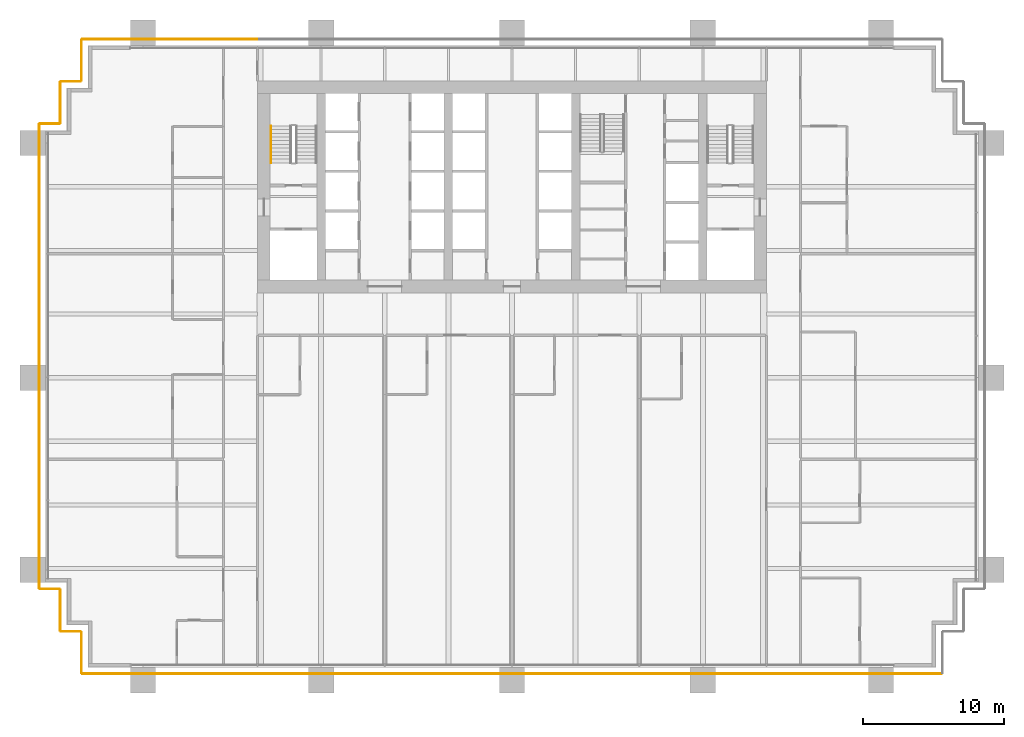
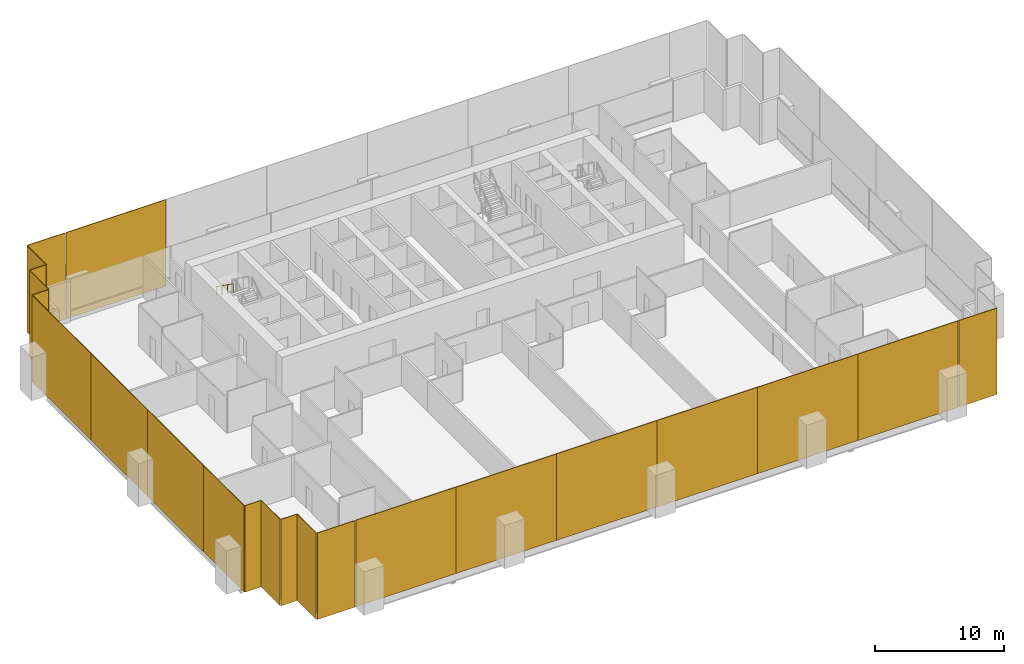
# One storey, part 16 of 18: 22 coverings, 1 railing.
"""IFC4 building model written with IfcOpenShell, lengths in metres."""

import ifcopenshell
import ifcopenshell.guid

model = None  # the IFC model being written
_history = None  # IfcOwnerHistory: only IFC2X3 demands one
_inside = {}  # id of a spatial element -> (the spatial element, [elements in it])
_under = {}  # id of a project, library or spatial element -> (it, [spatial elements below it])
_declared = {}  # id of a project -> (the project, [libraries it declares])
_typed = {}  # id of a type object -> (the type object, [elements of that type])
_made_of = {}  # id of a material, layer set ... -> (it, [elements and type objects made of it])


def new_model(schema):
    """Start an empty IFC model of exactly this schema.

    Asked for "IFC4X3", IfcOpenShell would pick the latest addendum, in which some entities
    have other attributes; the version numbers below select the first issue.
    IFC2X3 requires an IfcOwnerHistory on every rooted entity: one is made here for all.
    """
    global model, _history
    if schema == "IFC4X3":
        model = ifcopenshell.file(schema_version=(4, 3, 0, 0))
    else:
        model = ifcopenshell.file(schema=schema)
    _inside.clear()
    _under.clear()
    _declared.clear()
    _typed.clear()
    _made_of.clear()
    _history = None
    if model.schema == "IFC2X3":
        org = make("IfcOrganization", Name="unknown")
        user = make(
            "IfcPersonAndOrganization",
            ThePerson=make("IfcPerson", FamilyName="unknown"),
            TheOrganization=org,
        )
        app = make(
            "IfcApplication",
            ApplicationDeveloper=org,
            Version="unknown",
            ApplicationFullName="unknown",
            ApplicationIdentifier="unknown",
        )
        _history = make(
            "IfcOwnerHistory",
            OwningUser=user,
            OwningApplication=app,
            ChangeAction="ADDED",
            CreationDate=0,
        )
    return model


def make(cls, **values):
    """One entity of the class cls with the attributes given. An attribute that is None is left unset."""
    return model.create_entity(
        cls, **{name: value for name, value in values.items() if value is not None}
    )


def rooted(cls, **values):
    """An entity with a GlobalId (a new one), such as an element, a storey or a relation."""
    return make(cls, GlobalId=ifcopenshell.guid.new(), OwnerHistory=_history, **values)


def si_unit(unit_type, name, prefix=None):
    """IfcSIUnit, for example si_unit("LENGTHUNIT", "METRE", prefix="MILLI")."""
    return make("IfcSIUnit", UnitType=unit_type, Prefix=prefix, Name=name)


def assignment(units):
    """IfcUnitAssignment: the units of a project."""
    return None if units is None else make("IfcUnitAssignment", Units=units)


def point(xyz):
    """IfcCartesianPoint."""
    return None if xyz is None else make("IfcCartesianPoint", Coordinates=xyz)


def direction(xyz):
    """IfcDirection."""
    return None if xyz is None else make("IfcDirection", DirectionRatios=xyz)


def frame(location, z_axis=None, x_axis=None):
    """IfcAxis2Placement3D, a coordinate frame: its origin and axes. An axis left out is left unset."""
    return make(
        "IfcAxis2Placement3D",
        Location=point(location),
        Axis=direction(z_axis),
        RefDirection=direction(x_axis),
    )


def frame_2d(location, x_axis=None):
    """IfcAxis2Placement2D, a coordinate frame in the plane: its origin and x axis."""
    return make(
        "IfcAxis2Placement2D", Location=point(location), RefDirection=direction(x_axis)
    )


def origin():
    """The frame at (0, 0, 0) with its axes left unset."""
    return frame((0.0, 0.0, 0.0))


def origin_2d():
    """The frame at (0, 0) in the plane with its x axis left unset."""
    return frame_2d((0.0, 0.0))


def place(relative_to, where):
    """IfcLocalPlacement: puts the frame where relative to a parent placement (None: the world)."""
    return make(
        "IfcLocalPlacement", PlacementRelTo=relative_to, RelativePlacement=where
    )


def context(
    kind, dimensions, precision=None, world=None, true_north=None, identifier=None
):
    """IfcGeometricRepresentationContext, for example the 3D "Model" context."""
    return make(
        "IfcGeometricRepresentationContext",
        ContextIdentifier=identifier,
        ContextType=kind,
        CoordinateSpaceDimension=dimensions,
        Precision=precision,
        WorldCoordinateSystem=world,
        TrueNorth=true_north,
    )


def subcontext(parent, identifier, kind, view, scale=None):
    """IfcGeometricRepresentationSubContext, for example "Body" below "Model"."""
    return make(
        "IfcGeometricRepresentationSubContext",
        ContextIdentifier=identifier,
        ContextType=kind,
        ParentContext=parent,
        TargetScale=scale,
        TargetView=view,
    )


def project(units=None, contexts=None):
    """IfcProject with its units and contexts."""
    return rooted(
        "IfcProject",
        Name="project",
        RepresentationContexts=contexts,
        UnitsInContext=assignment(units),
    )


def spatial(cls, under=None, at=None, **own):
    """A site, building, storey or space (cls), placed at a placement, below another one or the project."""
    s = rooted(cls, ObjectPlacement=at, **own)
    if under is not None:
        _under.setdefault(under.id(), (under, []))[1].append(s)
    return s


def profile(cls, at=None, kind="AREA", **sizes):
    """A parametric profile (cls). Its sizes go by their IFC names, for example OverallWidth=200.0."""
    return make(cls, ProfileType=kind, Position=at, **sizes)


def rectangle(**sizes):
    """IfcRectangleProfileDef."""
    return profile("IfcRectangleProfileDef", **sizes)


def extrude(swept, where, along, depth):
    """IfcExtrudedAreaSolid: the profile swept, set in the frame where, extruded along a direction by depth."""
    return make(
        "IfcExtrudedAreaSolid",
        SweptArea=swept,
        Position=where,
        ExtrudedDirection=direction(along),
        Depth=depth,
    )


def shape(context_of_items, identifier, shape_type, items):
    """IfcShapeRepresentation: the items that make up one representation, for example the "Body"."""
    return make(
        "IfcShapeRepresentation",
        ContextOfItems=context_of_items,
        RepresentationIdentifier=identifier,
        RepresentationType=shape_type,
        Items=items,
    )


def material(Name=None, Category=None):
    """IfcMaterial."""
    return make("IfcMaterial", Name=Name, Category=Category)


def layer(
    of_material, thickness, ventilated=None, Name=None, Category=None, Priority=None
):
    """IfcMaterialLayer: one layer of a wall or slab, of a material (None: an air gap)."""
    return make(
        "IfcMaterialLayer",
        Material=of_material,
        LayerThickness=thickness,
        IsVentilated=ventilated,
        Name=Name,
        Category=Category,
        Priority=Priority,
    )


def layer_set(layers, Name=None):
    """IfcMaterialLayerSet."""
    return make("IfcMaterialLayerSet", MaterialLayers=layers, LayerSetName=Name)


def made_of(thing, what):
    """Note that an element or type object is made of a material, layer set ...; save() writes the relation."""
    if what is not None:
        _made_of.setdefault(what.id(), (what, []))[1].append(thing)
    return thing


def type_object(cls, material=None, **own):
    """A type object (cls), such as IfcWallType, which elements share."""
    return made_of(rooted(cls, **own), material)


def element(
    cls,
    number,
    at=None,
    inside=None,
    cuts=None,
    type_object=None,
    material=None,
    context=None,
    identifier="Body",
    shape_type=None,
    held_by="IfcProductDefinitionShape",
    body=None,
    shapes=None,
    **own,
):
    """One element of the class cls, such as IfcWall. Its Tag is "e" and its number.

    at: its placement. inside: the storey or other place that contains it. cuts: it is an
    opening in that element (IfcRelVoidsElement). A single representation is given by context,
    identifier, shape_type and body (its items); several are given by shapes. held_by: the class
    of the entity that holds the representations. save() writes the other relations.
    """
    e = rooted(cls, Tag="e%d" % number, ObjectPlacement=at, **own)
    if body is not None:
        shapes = [shape(context, identifier, shape_type, body)]
    if shapes is not None:
        e.Representation = make(held_by, Representations=shapes)
    if inside is not None:
        _inside.setdefault(inside.id(), (inside, []))[1].append(e)
    if cuts is not None:
        rooted(
            "IfcRelVoidsElement", RelatingBuildingElement=cuts, RelatedOpeningElement=e
        )
    if type_object is not None:
        _typed.setdefault(type_object.id(), (type_object, []))[1].append(e)
    return made_of(e, material)


def aggregate(whole, parts):
    """IfcRelAggregates: a whole, such as a stair, and the parts it consists of."""
    return rooted("IfcRelAggregates", RelatingObject=whole, RelatedObjects=parts)


def save(model, path):
    """Write the relations noted so far, then the file.

    IfcRelAggregates (storeys below a building ...), IfcRelContainedInSpatialStructure (elements
    in a storey), IfcRelDefinesByType, IfcRelAssociatesMaterial and IfcRelDeclares: one each for
    every whole, place, type object, material and project.
    """
    for whole, parts in _under.values():
        aggregate(whole, parts)
    for where, things in _inside.values():
        rooted(
            "IfcRelContainedInSpatialStructure",
            RelatedElements=things,
            RelatingStructure=where,
        )
    for kind, things in _typed.values():
        rooted("IfcRelDefinesByType", RelatedObjects=things, RelatingType=kind)
    for what, things in _made_of.values():
        rooted("IfcRelAssociatesMaterial", RelatedObjects=things, RelatingMaterial=what)
    for by, libraries in _declared.values():
        rooted("IfcRelDeclares", RelatingContext=by, RelatedDefinitions=libraries)
    model.write(path)


model = new_model("IFC4")

# Units and contexts
model_context = context("Model", 3, precision=1e-05, world=origin(), true_north=direction((0.0, 1.0)))
body_context = subcontext(model_context, "Body", "Model", "MODEL_VIEW")
ifc_project = project(units=[si_unit("LENGTHUNIT", "METRE"), si_unit("AREAUNIT", "SQUARE_METRE"), si_unit("VOLUMEUNIT", "CUBIC_METRE"), si_unit("PLANEANGLEUNIT", "RADIAN"), si_unit("MASSUNIT", "GRAM", prefix="KILO")], contexts=[model_context])

# Site, building, storey
site_placement = place(None, origin())
site = spatial("IfcSite", under=ifc_project, at=site_placement, CompositionType="ELEMENT")
building_placement = place(site_placement, origin())
building = spatial("IfcBuilding", under=site, at=building_placement, Name="Rattan Terrace Tower", CompositionType="ELEMENT")
storey_placement = place(building_placement, frame((0.0, 0.0, 57.0)))
storey = spatial("IfcBuildingStorey", under=building, at=storey_placement, Name="L12", CompositionType="ELEMENT", Elevation=57.0)

# Railing
ifc_material_1 = material(Name="Powder-coated steel handrail", Category="steel")
railing_type = type_object("IfcRailingType", Name="Core stair handrail", PredefinedType="HANDRAIL", material=ifc_material_1)
railing_placement = place(storey_placement, frame((-17.050048828125, 4.300048828125, 2.236328125)))
element("IfcRailing", 1, at=railing_placement, inside=storey, type_object=railing_type, Name="L12 S1 stair handrail 2", PredefinedType="HANDRAIL", context=body_context, shape_type="SweptSolid", body=[
    extrude(rectangle(XDim=0.048095703125, YDim=0.048095703125, at=origin_2d()), frame((0.0, 0.0, 0.8759765625), z_axis=(0.0, -0.812762922914, 0.582594568406), x_axis=(1.0, 0.0, 0.0)), (0.0, 0.0, 1.0), 3.198974609375),
    extrude(rectangle(XDim=0.0419921875, YDim=0.0419921875, at=origin_2d()), origin(), (0.0, 0.0, 1.0), 0.851806640625),
    extrude(rectangle(XDim=0.0419921875, YDim=0.0419921875, at=origin_2d()), frame((0.0, -0.86669921875, 0.621337890625)), (0.0, 0.0, 1.0), 0.851806640625),
    extrude(rectangle(XDim=0.0419921875, YDim=0.0419921875, at=origin_2d()), frame((0.0, -1.7333984375, 1.242431640625)), (0.0, 0.0, 1.0), 0.851806640625),
    extrude(rectangle(XDim=0.0419921875, YDim=0.0419921875, at=origin_2d()), frame((0.0, -2.60009765625, 1.86376953125)), (0.0, 0.0, 1.0), 0.851806640625),
])

# Coverings
ifc_material_2 = material(Name="Perforated terracotta", Category="masonry")
ifc_layer = layer(ifc_material_2, 0.06005859375)
ifc_layer_set = layer_set([ifc_layer], Name="Facade Terracotta Screen Panel")
covering_type = type_object("IfcCoveringType", Name="Facade Terracotta Screen Panel", PredefinedType="CLADDING", material=ifc_layer_set)
covering_1_placement = place(storey_placement, frame((28.72509765625, -34.449951171875, -0.18994140625), z_axis=(0.0, 0.0, 1.0), x_axis=(1.0, 0.0, 0.0)))
element("IfcCovering", 2, at=covering_1_placement, inside=storey, type_object=covering_type, Name="OUTER SKIN panel L12-1", PredefinedType="CLADDING", context=body_context, shape_type="SweptSolid", body=[
    extrude(rectangle(XDim=3.3701171875, YDim=0.06005859375, at=origin_2d()), origin(), (0.0, 0.0, 1.0), 8.179931640625),
])
covering_2_placement = place(storey_placement, frame((-22.485107421875, 10.449951171875, -0.18994140625), z_axis=(0.0, 0.0, 1.0), x_axis=(-1.0, 0.0, 0.0)))
element("IfcCovering", 3, at=covering_2_placement, inside=storey, type_object=covering_type, Name="OUTER SKIN panel L12-20", PredefinedType="CLADDING", context=body_context, shape_type="SweptSolid", body=[
    extrude(rectangle(XDim=8.949951171875, YDim=0.06005859375, at=origin_2d()), origin(), (0.0, 0.0, 1.0), 8.179931640625),
])
covering_3_placement = place(storey_placement, frame((-28.72509765625, 10.449951171875, -0.18994140625), z_axis=(0.0, 0.0, 1.0), x_axis=(-1.0, 0.0, 0.0)))
element("IfcCovering", 4, at=covering_3_placement, inside=storey, type_object=covering_type, Name="OUTER SKIN panel L12-21", PredefinedType="CLADDING", context=body_context, shape_type="SweptSolid", body=[
    extrude(rectangle(XDim=3.3701171875, YDim=0.06005859375, at=origin_2d()), origin(), (0.0, 0.0, 1.0), 8.179931640625),
])
covering_4_placement = place(storey_placement, frame((-30.449951171875, 8.949951171875, -0.18994140625), z_axis=(0.0, 0.0, 1.0), x_axis=(0.0, -1.0, 0.0)))
element("IfcCovering", 5, at=covering_4_placement, inside=storey, type_object=covering_type, Name="OUTER SKIN panel L12-22", PredefinedType="CLADDING", context=body_context, shape_type="SweptSolid", body=[
    extrude(rectangle(XDim=2.919921875, YDim=0.06005859375, at=origin_2d()), origin(), (0.0, 0.0, 1.0), 8.179931640625),
])
covering_5_placement = place(storey_placement, frame((-31.199951171875, 7.449951171875, -0.18994140625), z_axis=(0.0, 0.0, 1.0), x_axis=(-1.0, 0.0, 0.0)))
element("IfcCovering", 6, at=covering_5_placement, inside=storey, type_object=covering_type, Name="OUTER SKIN panel L12-23", PredefinedType="CLADDING", context=body_context, shape_type="SweptSolid", body=[
    extrude(rectangle(XDim=1.419921875, YDim=0.06005859375, at=origin_2d()), origin(), (0.0, 0.0, 1.0), 8.179931640625),
])
covering_6_placement = place(storey_placement, frame((-31.949951171875, 5.949951171875, -0.18994140625), z_axis=(0.0, 0.0, 1.0), x_axis=(0.0, -1.0, 0.0)))
element("IfcCovering", 7, at=covering_6_placement, inside=storey, type_object=covering_type, Name="OUTER SKIN panel L12-24", PredefinedType="CLADDING", context=body_context, shape_type="SweptSolid", body=[
    extrude(rectangle(XDim=2.919921875, YDim=0.06005859375, at=origin_2d()), origin(), (0.0, 0.0, 1.0), 8.179931640625),
])
covering_7_placement = place(storey_placement, frame((-32.699951171875, 4.449951171875, -0.18994140625), z_axis=(0.0, 0.0, 1.0), x_axis=(-1.0, 0.0, 0.0)))
element("IfcCovering", 8, at=covering_7_placement, inside=storey, type_object=covering_type, Name="OUTER SKIN panel L12-25", PredefinedType="CLADDING", context=body_context, shape_type="SweptSolid", body=[
    extrude(rectangle(XDim=1.419921875, YDim=0.06005859375, at=origin_2d()), origin(), (0.0, 0.0, 1.0), 8.179931640625),
])
covering_8_placement = place(storey_placement, frame((-33.449951171875, -0.153564453125, -0.18994140625), z_axis=(0.0, 0.0, 1.0), x_axis=(0.0, -1.0, 0.0)))
element("IfcCovering", 9, at=covering_8_placement, inside=storey, type_object=covering_type, Name="OUTER SKIN panel L12-26", PredefinedType="CLADDING", context=body_context, shape_type="SweptSolid", body=[
    extrude(rectangle(XDim=9.126953125, YDim=0.06005859375, at=origin_2d()), origin(), (0.0, 0.0, 1.0), 8.179931640625),
])
for number, where, z_axis, x_axis, name in (
    (10, (-33.449951171875, -9.090576171875, -0.18994140625), (0.0, 0.0, 1.0), (0.0, -1.0, 0.0), "OUTER SKIN panel L12-27"),
    (11, (-33.449951171875, -17.8173828125, -0.18994140625), (0.0, 0.0, 1.0), (0.0, -1.0, 0.0), "OUTER SKIN panel L12-28"),
):
    element("IfcCovering", number, at=place(storey_placement, frame(where, z_axis=z_axis, x_axis=x_axis)), inside=storey, type_object=covering_type, Name=name, PredefinedType="CLADDING", context=body_context, shape_type="SweptSolid", body=[
        extrude(rectangle(XDim=8.70703125, YDim=0.06005859375, at=origin_2d()), origin(), (0.0, 0.0, 1.0), 8.179931640625),
    ])
covering_9_placement = place(storey_placement, frame((-33.449951171875, -25.300537109375, -0.18994140625), z_axis=(0.0, 0.0, 1.0), x_axis=(0.0, -1.0, 0.0)))
element("IfcCovering", 12, at=covering_9_placement, inside=storey, type_object=covering_type, Name="OUTER SKIN panel L12-29", PredefinedType="CLADDING", context=body_context, shape_type="SweptSolid", body=[
    extrude(rectangle(XDim=6.218994140625, YDim=0.06005859375, at=origin_2d()), origin(), (0.0, 0.0, 1.0), 8.179931640625),
])
covering_10_placement = place(storey_placement, frame((-32.699951171875, -28.449951171875, -0.18994140625), z_axis=(0.0, 0.0, 1.0), x_axis=(1.0, 0.0, 0.0)))
element("IfcCovering", 13, at=covering_10_placement, inside=storey, type_object=covering_type, Name="OUTER SKIN panel L12-30", PredefinedType="CLADDING", context=body_context, shape_type="SweptSolid", body=[
    extrude(rectangle(XDim=1.419921875, YDim=0.06005859375, at=origin_2d()), origin(), (0.0, 0.0, 1.0), 8.179931640625),
])
covering_11_placement = place(storey_placement, frame((-31.949951171875, -29.949951171875, -0.18994140625), z_axis=(0.0, 0.0, 1.0), x_axis=(0.0, -1.0, 0.0)))
element("IfcCovering", 14, at=covering_11_placement, inside=storey, type_object=covering_type, Name="OUTER SKIN panel L12-31", PredefinedType="CLADDING", context=body_context, shape_type="SweptSolid", body=[
    extrude(rectangle(XDim=2.919921875, YDim=0.06005859375, at=origin_2d()), origin(), (0.0, 0.0, 1.0), 8.179931640625),
])
covering_12_placement = place(storey_placement, frame((-31.199951171875, -31.449951171875, -0.18994140625), z_axis=(0.0, 0.0, 1.0), x_axis=(1.0, 0.0, 0.0)))
element("IfcCovering", 15, at=covering_12_placement, inside=storey, type_object=covering_type, Name="OUTER SKIN panel L12-32", PredefinedType="CLADDING", context=body_context, shape_type="SweptSolid", body=[
    extrude(rectangle(XDim=1.419921875, YDim=0.06005859375, at=origin_2d()), origin(), (0.0, 0.0, 1.0), 8.179931640625),
])
covering_13_placement = place(storey_placement, frame((-30.449951171875, -32.949951171875, -0.18994140625), z_axis=(0.0, 0.0, 1.0), x_axis=(0.0, -1.0, 0.0)))
element("IfcCovering", 16, at=covering_13_placement, inside=storey, type_object=covering_type, Name="OUTER SKIN panel L12-33", PredefinedType="CLADDING", context=body_context, shape_type="SweptSolid", body=[
    extrude(rectangle(XDim=2.919921875, YDim=0.06005859375, at=origin_2d()), origin(), (0.0, 0.0, 1.0), 8.179931640625),
])
covering_14_placement = place(storey_placement, frame((-28.72509765625, -34.449951171875, -0.18994140625), z_axis=(0.0, 0.0, 1.0), x_axis=(1.0, 0.0, 0.0)))
element("IfcCovering", 17, at=covering_14_placement, inside=storey, type_object=covering_type, Name="OUTER SKIN panel L12-34", PredefinedType="CLADDING", context=body_context, shape_type="SweptSolid", body=[
    extrude(rectangle(XDim=3.3701171875, YDim=0.06005859375, at=origin_2d()), origin(), (0.0, 0.0, 1.0), 8.179931640625),
])
covering_15_placement = place(storey_placement, frame((-22.485107421875, -34.449951171875, -0.18994140625), z_axis=(0.0, 0.0, 1.0), x_axis=(1.0, 0.0, 0.0)))
element("IfcCovering", 18, at=covering_15_placement, inside=storey, type_object=covering_type, Name="OUTER SKIN panel L12-35", PredefinedType="CLADDING", context=body_context, shape_type="SweptSolid", body=[
    extrude(rectangle(XDim=8.949951171875, YDim=0.06005859375, at=origin_2d()), origin(), (0.0, 0.0, 1.0), 8.179931640625),
])
for number, where, z_axis, x_axis, name in (
    (19, (-13.5, -34.449951171875, -0.18994140625), (0.0, 0.0, 1.0), (1.0, 0.0, 0.0), "OUTER SKIN panel L12-36"),
    (20, (-4.5, -34.449951171875, -0.18994140625), (0.0, 0.0, 1.0), (1.0, 0.0, 0.0), "OUTER SKIN panel L12-37"),
    (21, (4.5, -34.449951171875, -0.18994140625), (0.0, 0.0, 1.0), (1.0, 0.0, 0.0), "OUTER SKIN panel L12-38"),
    (22, (13.5, -34.449951171875, -0.18994140625), (0.0, 0.0, 1.0), (1.0, 0.0, 0.0), "OUTER SKIN panel L12-39"),
):
    element("IfcCovering", number, at=place(storey_placement, frame(where, z_axis=z_axis, x_axis=x_axis)), inside=storey, type_object=covering_type, Name=name, PredefinedType="CLADDING", context=body_context, shape_type="SweptSolid", body=[
        extrude(rectangle(XDim=8.97998046875, YDim=0.06005859375, at=origin_2d()), origin(), (0.0, 0.0, 1.0), 8.179931640625),
    ])
covering_16_placement = place(storey_placement, frame((22.485107421875, -34.449951171875, -0.18994140625), z_axis=(0.0, 0.0, 1.0), x_axis=(1.0, 0.0, 0.0)))
element("IfcCovering", 23, at=covering_16_placement, inside=storey, type_object=covering_type, Name="OUTER SKIN panel L12-40", PredefinedType="CLADDING", context=body_context, shape_type="SweptSolid", body=[
    extrude(rectangle(XDim=8.949951171875, YDim=0.06005859375, at=origin_2d()), origin(), (0.0, 0.0, 1.0), 8.179931640625),
])

save(model, "model.ifc")
